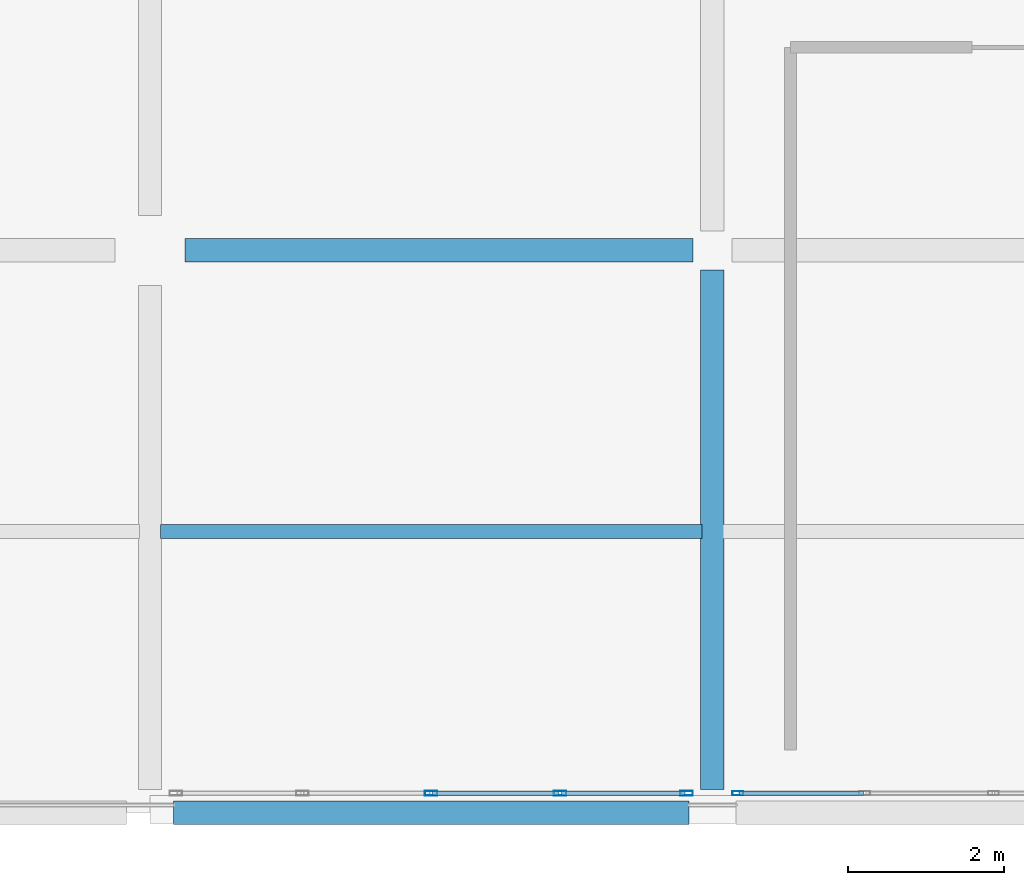
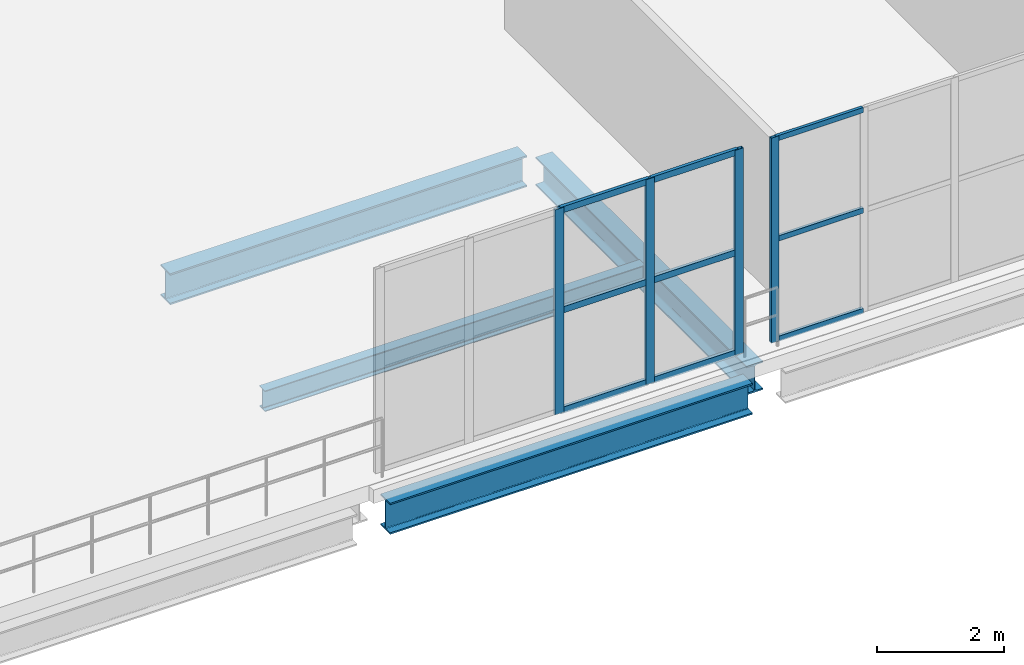
# One storey, part 6 of 153: 13 members, 4 beams, 2 elements without a shape of their own.
"""IFC4 building model written with IfcOpenShell, lengths in metres."""

from ifc_helpers import new_model, si_unit, direction, frame, origin, origin_2d, place, context, subcontext, project, spatial, hollow_rectangle, i_section, extrude, material, material_profile, profile_set, type_object, element, aggregate, save


model = new_model("IFC4")

# Units and contexts
model_context = context("Model", 3, precision=1e-05, world=origin(), true_north=direction((0.0, 1.0)))
body_context = subcontext(model_context, "Body", "Model", "MODEL_VIEW")
ifc_project = project(units=[si_unit("LENGTHUNIT", "METRE"), si_unit("AREAUNIT", "SQUARE_METRE"), si_unit("VOLUMEUNIT", "CUBIC_METRE"), si_unit("PLANEANGLEUNIT", "RADIAN"), si_unit("MASSUNIT", "GRAM", prefix="KILO")], contexts=[model_context])

# Site, building, storey
site_placement = place(None, origin())
site = spatial("IfcSite", under=ifc_project, at=site_placement, CompositionType="ELEMENT")
building_placement = place(site_placement, origin())
building = spatial("IfcBuilding", under=site, at=building_placement, Name="Qandorah Velis Arena", CompositionType="ELEMENT")
storey_placement = place(building_placement, frame((0.0, 0.0, 5.39990234375)))
storey = spatial("IfcBuildingStorey", under=building, at=storey_placement, Name="L01", CompositionType="ELEMENT", Elevation=5.39990234375)

# Curtain wall, member
ifc_material_1 = material(Name="Solar-control low-E double glazing", Category="glass")
curtain_wall_type_1 = type_object("IfcCurtainWallType", Name="ARC-CW-SYS08", PredefinedType="USERDEFINED", material=ifc_material_1)
curtain_wall_1_placement = place(storey_placement, origin())
curtain_wall_1 = element("IfcCurtainWall", 1, at=curtain_wall_1_placement, inside=storey, type_object=curtain_wall_type_1, Name="Unitised curtain wall L01-056", ObjectType="UNITISED CURTAIN WALL", PredefinedType="USERDEFINED")
ifc_material_2 = material(Name="Champagne-bronze anodized aluminium 6063-T6", Category="aluminium")
ifc_material_profile_1 = material_profile(ifc_material_2, hollow_rectangle(XDim=0.054931640625, YDim=0.139892578125, WallThickness=0.0029296875, at=origin_2d()), Name="ALU MULLION 55x140")
ifc_profile_set_1 = profile_set([ifc_material_profile_1], Name="Champagne-bronze anodized aluminium 6063-T6")
member_type_1 = type_object("IfcMemberType", Name="ARC-CWM-140", PredefinedType="MULLION", material=ifc_profile_set_1)
member_1_placement = place(storey_placement, frame((14.7275390625, 0.25, -0.014892578125), z_axis=(0.0, 0.0, 1.0), x_axis=(0.0, 1.0, 0.0)))
member_1 = element("IfcMember", 2, at=member_1_placement, type_object=member_type_1, Name="CW08 mullion 1", PredefinedType="MULLION", context=body_context, shape_type="SweptSolid", body=[
    extrude(hollow_rectangle(XDim=0.054931640625, YDim=0.139892578125, WallThickness=0.0029296875, at=origin_2d()), origin(), (0.0, 0.0, 1.0), 3.949951171875),
])

# Curtain wall, members
curtain_wall_type_2 = type_object("IfcCurtainWallType", Name="ARC-CW-SYS07", PredefinedType="USERDEFINED", material=ifc_material_1)
curtain_wall_2_placement = place(storey_placement, origin())
curtain_wall_2 = element("IfcCurtainWall", 3, at=curtain_wall_2_placement, inside=storey, type_object=curtain_wall_type_2, Name="Unitised curtain wall L01-055", ObjectType="UNITISED CURTAIN WALL", PredefinedType="USERDEFINED")
ifc_material_profile_2 = material_profile(ifc_material_2, hollow_rectangle(XDim=0.06005859375, YDim=0.159912109375, WallThickness=0.00341796875, at=origin_2d()), Name="ALU MULLION 60x160")
ifc_profile_set_2 = profile_set([ifc_material_profile_2], Name="Champagne-bronze anodized aluminium 6063-T6")
member_type_2 = type_object("IfcMemberType", Name="ARC-CWM-160", PredefinedType="MULLION", material=ifc_profile_set_2)
member_2_placement = place(storey_placement, frame((10.800048828125, 0.25, -0.014892578125), z_axis=(0.0, 0.0, 1.0), x_axis=(0.0, 1.0, 0.0)))
member_2 = element("IfcMember", 4, at=member_2_placement, type_object=member_type_2, Name="CW07 mullion 3", PredefinedType="MULLION", context=body_context, shape_type="SweptSolid", body=[
    extrude(hollow_rectangle(XDim=0.06005859375, YDim=0.159912109375, WallThickness=0.00341796875, at=origin_2d()), origin(), (0.0, 0.0, 1.0), 3.949951171875),
])
member_3_placement = place(storey_placement, frame((12.449951171875, 0.25, -0.014892578125), z_axis=(0.0, 0.0, 1.0), x_axis=(0.0, 1.0, 0.0)))
member_3 = element("IfcMember", 5, at=member_3_placement, type_object=member_type_2, Name="CW07 mullion 4", PredefinedType="MULLION", context=body_context, shape_type="SweptSolid", body=[
    extrude(hollow_rectangle(XDim=0.06005859375, YDim=0.159912109375, WallThickness=0.00341796875, at=origin_2d()), origin(), (0.0, 0.0, 1.0), 3.949951171875),
])
member_4_placement = place(storey_placement, frame((14.070068359375, 0.25, -0.014892578125), z_axis=(0.0, 0.0, 1.0), x_axis=(0.0, 1.0, 0.0)))
member_4 = element("IfcMember", 6, at=member_4_placement, type_object=member_type_2, Name="CW07 mullion 5", PredefinedType="MULLION", context=body_context, shape_type="SweptSolid", body=[
    extrude(hollow_rectangle(XDim=0.06005859375, YDim=0.159912109375, WallThickness=0.00341796875, at=origin_2d()), origin(), (0.0, 0.0, 1.0), 3.949951171875),
])

# Member
ifc_material_profile_3 = material_profile(ifc_material_2, hollow_rectangle(XDim=0.054931640625, YDim=0.10009765625, WallThickness=0.0029296875, at=origin_2d()), Name="ALU TRANSOM 55x100")
ifc_profile_set_3 = profile_set([ifc_material_profile_3], Name="Champagne-bronze anodized aluminium 6063-T6")
member_type_3 = type_object("IfcMemberType", Name="ARC-CWT-100", PredefinedType="USERDEFINED", material=ifc_profile_set_3)
member_5_placement = place(storey_placement, frame((14.742919921875, 0.25, 0.027587890625), z_axis=(1.0, 0.0, 0.0), x_axis=(0.0, 1.0, 0.0)))
member_5 = element("IfcMember", 7, at=member_5_placement, type_object=member_type_3, Name="CW08 transom 1.1", ObjectType="TRANSOM", PredefinedType="USERDEFINED", context=body_context, shape_type="SweptSolid", body=[
    extrude(hollow_rectangle(XDim=0.054931640625, YDim=0.10009765625, WallThickness=0.0029296875, at=origin_2d()), origin(), (0.0, 0.0, 1.0), 1.591552734375),
])

member_6_placement = place(storey_placement, frame((14.742919921875, 0.25, 1.960205078125), z_axis=(1.0, 0.0, 0.0), x_axis=(0.0, 1.0, 0.0)))
member_6 = element("IfcMember", 8, at=member_6_placement, type_object=member_type_3, Name="CW08 transom 1.2", ObjectType="TRANSOM", PredefinedType="USERDEFINED", context=body_context, shape_type="SweptSolid", body=[
    extrude(hollow_rectangle(XDim=0.054931640625, YDim=0.10009765625, WallThickness=0.0029296875, at=origin_2d()), origin(), (0.0, 0.0, 1.0), 1.591552734375),
])

member_7_placement = place(storey_placement, frame((14.742919921875, 0.25, 3.892578125), z_axis=(1.0, 0.0, 0.0), x_axis=(0.0, 1.0, 0.0)))
member_7 = element("IfcMember", 9, at=member_7_placement, type_object=member_type_3, Name="CW08 transom 1.3", ObjectType="TRANSOM", PredefinedType="USERDEFINED", context=body_context, shape_type="SweptSolid", body=[
    extrude(hollow_rectangle(XDim=0.054931640625, YDim=0.10009765625, WallThickness=0.0029296875, at=origin_2d()), origin(), (0.0, 0.0, 1.0), 1.591552734375),
])

aggregate(curtain_wall_1, [member_1, member_5, member_6, member_7])

ifc_material_profile_4 = material_profile(ifc_material_2, hollow_rectangle(XDim=0.06005859375, YDim=0.1201171875, WallThickness=0.0029296875, at=origin_2d()), Name="ALU TRANSOM 60x120")
ifc_profile_set_4 = profile_set([ifc_material_profile_4], Name="Champagne-bronze anodized aluminium 6063-T6")
member_type_4 = type_object("IfcMemberType", Name="ARC-CWT-120", PredefinedType="USERDEFINED", material=ifc_profile_set_4)
member_8_placement = place(storey_placement, frame((10.818115234375, 0.25, 0.030029296875), z_axis=(1.0, 0.0, 0.0), x_axis=(0.0, 1.0, 0.0)))
member_8 = element("IfcMember", 10, at=member_8_placement, type_object=member_type_4, Name="CW07 transom 3.1", ObjectType="TRANSOM", PredefinedType="USERDEFINED", context=body_context, shape_type="SweptSolid", body=[
    extrude(hollow_rectangle(XDim=0.06005859375, YDim=0.1201171875, WallThickness=0.0029296875, at=origin_2d()), origin(), (0.0, 0.0, 1.0), 1.61376953125),
])

member_9_placement = place(storey_placement, frame((10.818115234375, 0.25, 1.960205078125), z_axis=(1.0, 0.0, 0.0), x_axis=(0.0, 1.0, 0.0)))
member_9 = element("IfcMember", 11, at=member_9_placement, type_object=member_type_4, Name="CW07 transom 3.2", ObjectType="TRANSOM", PredefinedType="USERDEFINED", context=body_context, shape_type="SweptSolid", body=[
    extrude(hollow_rectangle(XDim=0.06005859375, YDim=0.1201171875, WallThickness=0.0029296875, at=origin_2d()), origin(), (0.0, 0.0, 1.0), 1.61376953125),
])

member_10_placement = place(storey_placement, frame((10.818115234375, 0.25, 3.89013671875), z_axis=(1.0, 0.0, 0.0), x_axis=(0.0, 1.0, 0.0)))
member_10 = element("IfcMember", 12, at=member_10_placement, type_object=member_type_4, Name="CW07 transom 3.3", ObjectType="TRANSOM", PredefinedType="USERDEFINED", context=body_context, shape_type="SweptSolid", body=[
    extrude(hollow_rectangle(XDim=0.06005859375, YDim=0.1201171875, WallThickness=0.0029296875, at=origin_2d()), origin(), (0.0, 0.0, 1.0), 1.61376953125),
])

member_11_placement = place(storey_placement, frame((12.468017578125, 0.25, 0.030029296875), z_axis=(1.0, 0.0, 0.0), x_axis=(0.0, 1.0, 0.0)))
member_11 = element("IfcMember", 13, at=member_11_placement, type_object=member_type_4, Name="CW07 transom 4.1", ObjectType="TRANSOM", PredefinedType="USERDEFINED", context=body_context, shape_type="SweptSolid", body=[
    extrude(hollow_rectangle(XDim=0.06005859375, YDim=0.1201171875, WallThickness=0.0029296875, at=origin_2d()), origin(), (0.0, 0.0, 1.0), 1.583984375),
])

member_12_placement = place(storey_placement, frame((12.468017578125, 0.25, 1.960205078125), z_axis=(1.0, 0.0, 0.0), x_axis=(0.0, 1.0, 0.0)))
member_12 = element("IfcMember", 14, at=member_12_placement, type_object=member_type_4, Name="CW07 transom 4.2", ObjectType="TRANSOM", PredefinedType="USERDEFINED", context=body_context, shape_type="SweptSolid", body=[
    extrude(hollow_rectangle(XDim=0.06005859375, YDim=0.1201171875, WallThickness=0.0029296875, at=origin_2d()), origin(), (0.0, 0.0, 1.0), 1.583984375),
])

member_13_placement = place(storey_placement, frame((12.468017578125, 0.25, 3.89013671875), z_axis=(1.0, 0.0, 0.0), x_axis=(0.0, 1.0, 0.0)))
member_13 = element("IfcMember", 15, at=member_13_placement, type_object=member_type_4, Name="CW07 transom 4.3", ObjectType="TRANSOM", PredefinedType="USERDEFINED", context=body_context, shape_type="SweptSolid", body=[
    extrude(hollow_rectangle(XDim=0.06005859375, YDim=0.1201171875, WallThickness=0.0029296875, at=origin_2d()), origin(), (0.0, 0.0, 1.0), 1.583984375),
])

aggregate(curtain_wall_2, [member_2, member_3, member_4, member_8, member_9, member_10, member_11, member_12, member_13])

# Beams
ifc_material_3 = material(Name="Steel S355", Category="steel")
ifc_material_profile_5 = material_profile(ifc_material_3, i_section(OverallWidth=0.300048828125, OverallDepth=0.550048828125, WebThickness=0.014892578125, FlangeThickness=0.029052734375, FilletRadius=0.027099609375, at=origin_2d()), Name="HEB 550")
ifc_profile_set_5 = profile_set([ifc_material_profile_5], Name="Steel S355")
beam_type_1 = type_object("IfcBeamType", Name="STR-BM-HEB550", PredefinedType="BEAM", material=ifc_profile_set_5)
beam_1_placement = place(storey_placement, frame((14.39990234375, 0.300048828125, -0.635009765625), z_axis=(0.0, 1.0, 0.0), x_axis=(-1.0, 0.0, 0.0)))
element("IfcBeam", 16, at=beam_1_placement, inside=storey, type_object=beam_type_1, Name="Primary floor girder L01 Y-256", PredefinedType="BEAM", context=body_context, shape_type="SweptSolid", body=[
    extrude(i_section(OverallWidth=0.300048828125, OverallDepth=0.550048828125, WebThickness=0.014892578125, FlangeThickness=0.029052734375, FilletRadius=0.027099609375, at=origin_2d()), origin(), (0.0, 0.0, 1.0), 6.64990234375),
])
ifc_material_profile_6 = material_profile(ifc_material_3, i_section(OverallWidth=0.300048828125, OverallDepth=0.60009765625, WebThickness=0.015380859375, FlangeThickness=0.030029296875, FilletRadius=0.027099609375, at=origin_2d()), Name="HEB 600")
ifc_profile_set_6 = profile_set([ifc_material_profile_6], Name="Steel S355")
beam_type_2 = type_object("IfcBeamType", Name="STR-BM-HEB600", PredefinedType="BEAM", material=ifc_profile_set_6)
beam_2_placement = place(storey_placement, frame((7.5, 0.0, -0.659912109375), z_axis=(1.0, 0.0, 0.0), x_axis=(0.0, 1.0, 0.0)))
element("IfcBeam", 17, at=beam_2_placement, inside=storey, type_object=beam_type_2, Name="Primary floor girder L01 X-002", PredefinedType="BEAM", context=body_context, shape_type="SweptSolid", body=[
    extrude(i_section(OverallWidth=0.300048828125, OverallDepth=0.60009765625, WebThickness=0.015380859375, FlangeThickness=0.030029296875, FilletRadius=0.027099609375, at=origin_2d()), origin(), (0.0, 0.0, 1.0), 6.60009765625),
])
beam_3_placement = place(storey_placement, frame((7.64990234375, 7.199951171875, -0.659912109375), z_axis=(1.0, 0.0, 0.0), x_axis=(0.0, 1.0, 0.0)))
element("IfcBeam", 18, at=beam_3_placement, inside=storey, type_object=beam_type_2, Name="Primary floor girder L01 X-018", PredefinedType="BEAM", context=body_context, shape_type="SweptSolid", body=[
    extrude(i_section(OverallWidth=0.300048828125, OverallDepth=0.60009765625, WebThickness=0.015380859375, FlangeThickness=0.030029296875, FilletRadius=0.027099609375, at=origin_2d()), origin(), (0.0, 0.0, 1.0), 6.5),
])
ifc_material_profile_7 = material_profile(ifc_material_3, i_section(OverallWidth=0.179931640625, OverallDepth=0.39990234375, WebThickness=0.008544921875, FlangeThickness=0.013427734375, FilletRadius=0.02099609375, at=origin_2d()), Name="IPE 400")
ifc_profile_set_7 = profile_set([ifc_material_profile_7], Name="Steel S355")
beam_type_3 = type_object("IfcBeamType", Name="STR-JST-IPE400", PredefinedType="JOIST", material=ifc_profile_set_7)
beam_4_placement = place(storey_placement, frame((7.3349609375, 3.60009765625, -0.559814453125), z_axis=(1.0, 0.0, 0.0), x_axis=(0.0, 1.0, 0.0)))
element("IfcBeam", 19, at=beam_4_placement, inside=storey, type_object=beam_type_3, Name="Secondary floor joist L01-015", PredefinedType="JOIST", context=body_context, shape_type="SweptSolid", body=[
    extrude(i_section(OverallWidth=0.179931640625, OverallDepth=0.39990234375, WebThickness=0.008544921875, FlangeThickness=0.013427734375, FilletRadius=0.02099609375, at=origin_2d()), origin(), (0.0, 0.0, 1.0), 6.929931640625),
])

save(model, "model.ifc")
